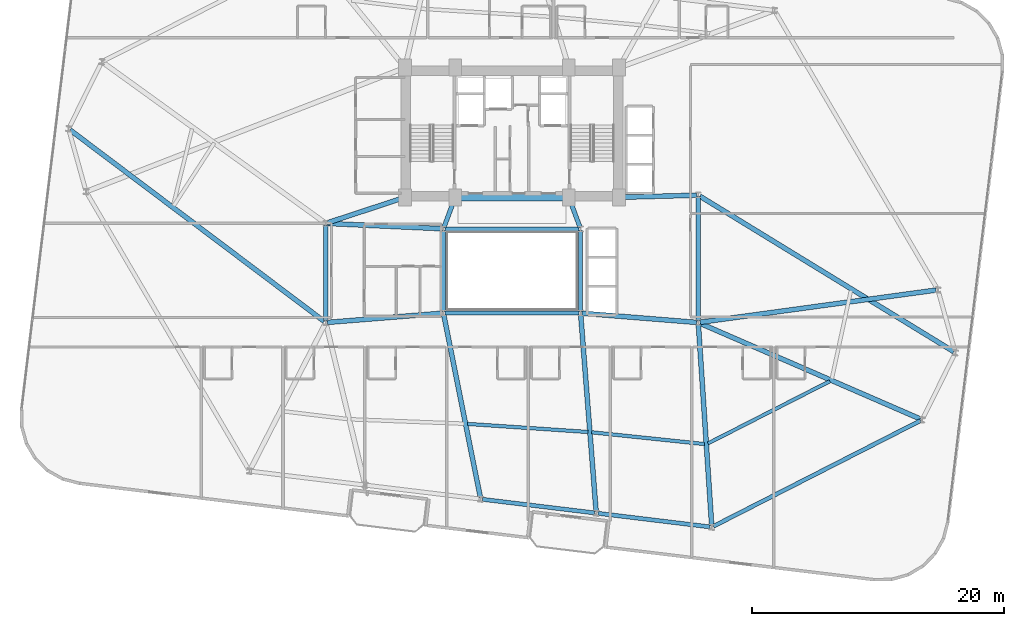
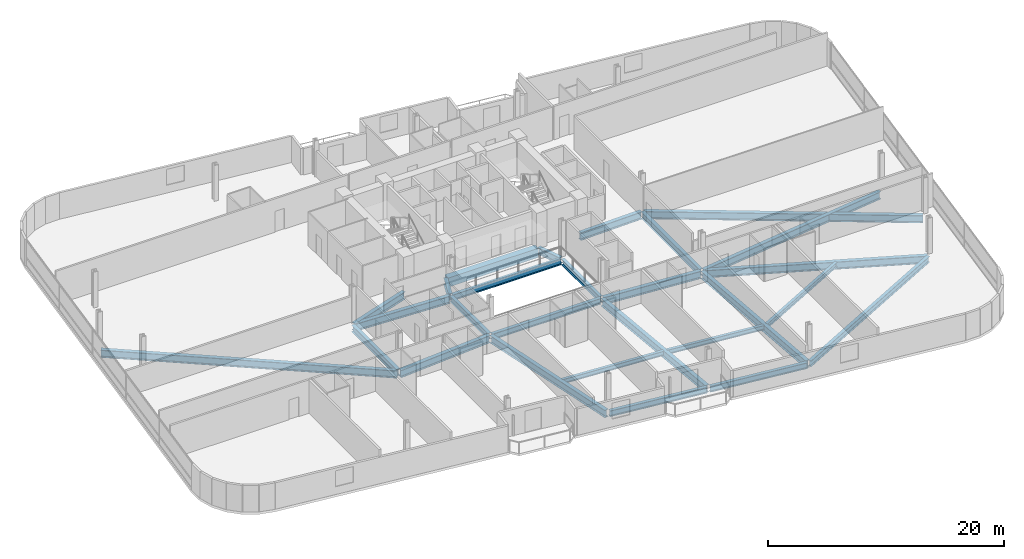
# One storey, part 7 of 26: 27 beams.
"""IFC4 building model written with IfcOpenShell, lengths in metres."""

from ifc_helpers import new_model, si_unit, direction, frame, origin, origin_2d, place, context, subcontext, project, spatial, rectangle, i_section, extrude, material, material_profile, profile_set, type_object, element, save


model = new_model("IFC4")

# Units and contexts
model_context = context("Model", 3, precision=1e-05, world=origin(), true_north=direction((0.0, 1.0)))
body_context = subcontext(model_context, "Body", "Model", "MODEL_VIEW")
ifc_project = project(units=[si_unit("LENGTHUNIT", "METRE"), si_unit("AREAUNIT", "SQUARE_METRE"), si_unit("VOLUMEUNIT", "CUBIC_METRE"), si_unit("PLANEANGLEUNIT", "RADIAN"), si_unit("MASSUNIT", "GRAM", prefix="KILO")], contexts=[model_context])

# Site, building, storey
site_placement = place(None, origin())
site = spatial("IfcSite", under=ifc_project, at=site_placement, CompositionType="ELEMENT")
building_placement = place(site_placement, origin())
building = spatial("IfcBuilding", under=site, at=building_placement, Name="Varnelok Gate Tower", CompositionType="ELEMENT")
storey_placement = place(building_placement, frame((0.0, 0.0, 125.39990234375)))
storey = spatial("IfcBuildingStorey", under=building, at=storey_placement, Name="L31", CompositionType="ELEMENT", Elevation=125.39990234375)

# Beams
ifc_material_1 = material(Name="Structural Steel ASTM A992 Grade 50", Category="steel")
ifc_material_profile_1 = material_profile(ifc_material_1, i_section(OverallWidth=0.280029296875, OverallDepth=0.462890625, WebThickness=0.0107421875, FlangeThickness=0.017333984375, FilletRadius=0.014892578125, at=origin_2d()), Name="W18X76")
ifc_profile_set_1 = profile_set([ifc_material_profile_1], Name="Structural Steel ASTM A992 Grade 50")
beam_type_1 = type_object("IfcBeamType", Name="BM-JST-W18X76", PredefinedType="JOIST", material=ifc_profile_set_1)
beam_1_placement = place(storey_placement, frame((35.651611328125, 10.74658203125, -0.4814453125), z_axis=(0.997760046708, -0.066894612588, 0.0), x_axis=(0.066894612588, 0.997760046708, 0.0)))
element("IfcBeam", 1, at=beam_1_placement, inside=storey, type_object=beam_type_1, Name="L31 Sector Floor Joist 3", PredefinedType="JOIST", context=body_context, shape_type="SweptSolid", body=[
    extrude(i_section(OverallWidth=0.280029296875, OverallDepth=0.462890625, WebThickness=0.0107421875, FlangeThickness=0.017333984375, FilletRadius=0.014892578125, at=origin_2d()), origin(), (0.0, 0.0, 1.0), 9.620361328125),
])
beam_2_placement = place(storey_placement, frame((45.529296875, 10.0791015625, -0.4814453125), z_axis=(0.994590833623, -0.103870465835, 0.0), x_axis=(0.103870465835, 0.994590833623, 0.0)))
element("IfcBeam", 2, at=beam_2_placement, inside=storey, type_object=beam_type_1, Name="L31 Sector Floor Joist 4", PredefinedType="JOIST", context=body_context, shape_type="SweptSolid", body=[
    extrude(i_section(OverallWidth=0.280029296875, OverallDepth=0.462890625, WebThickness=0.0107421875, FlangeThickness=0.017333984375, FilletRadius=0.014892578125, at=origin_2d()), origin(), (0.0, 0.0, 1.0), 9.02099609375),
])
beam_3_placement = place(storey_placement, frame((54.765380859375, 9.19140625, -0.4814453125), z_axis=(0.890737225888, 0.454518640341, 0.0), x_axis=(-0.454518640341, 0.890737225888, 0.0)))
element("IfcBeam", 3, at=beam_3_placement, inside=storey, type_object=beam_type_1, Name="L31 Sector Floor Joist 5", PredefinedType="JOIST", context=body_context, shape_type="SweptSolid", body=[
    extrude(i_section(OverallWidth=0.280029296875, OverallDepth=0.462890625, WebThickness=0.0107421875, FlangeThickness=0.017333984375, FilletRadius=0.014892578125, at=origin_2d()), origin(), (0.0, 0.0, 1.0), 10.88623046875),
])
ifc_material_2 = material(Name="Concrete C60/75", Category="concrete")
ifc_material_profile_2 = material_profile(ifc_material_2, rectangle(XDim=0.60009765625, YDim=0.949951171875, at=origin_2d()), Name="RC950X600")
ifc_profile_set_2 = profile_set([ifc_material_profile_2], Name="Concrete C60/75")
beam_type_2 = type_object("IfcBeamType", Name="BM-LNT-RC950", PredefinedType="LINTEL", material=ifc_profile_set_2)
beam_4_placement = place(storey_placement, frame((34.800048828125, 28.75, -0.724853515625), z_axis=(1.0, 0.0, 0.0), x_axis=(0.0, 1.0, 0.0)))
element("IfcBeam", 4, at=beam_4_placement, inside=storey, type_object=beam_type_2, Name="L31 Core-Atrium Spine Beam 7", PredefinedType="LINTEL", context=body_context, shape_type="SweptSolid", body=[
    extrude(rectangle(XDim=0.60009765625, YDim=0.949951171875, at=origin_2d()), origin(), (0.0, 0.0, 1.0), 8.800048828125),
])
ifc_material_profile_3 = material_profile(ifc_material_1, i_section(OverallWidth=0.35498046875, OverallDepth=0.696044921875, WebThickness=0.015380859375, FlangeThickness=0.02490234375, FilletRadius=0.02001953125, at=origin_2d()), Name="W27X146")
ifc_profile_set_3 = profile_set([ifc_material_profile_3], Name="Structural Steel ASTM A992 Grade 50")
beam_type_3 = type_object("IfcBeamType", Name="BM-PRI-W27X146", PredefinedType="BEAM", material=ifc_profile_set_3)
for number, where, z_axis, x_axis, name in (
    (5, (33.791748046875, 26.362548828125, -0.597900390625), (0.348719329408, 0.937227202602, 0.0), (-0.937227202602, 0.348719329408, 0.0), "L31 Core-Atrium Spine Beam 12"),
    (6, (44.608154296875, 26.362548828125, -0.597900390625), (-0.348719329408, 0.937227202602, 0.0), (-0.937227202602, -0.348719329408, 0.0), "L31 Core-Atrium Spine Beam 13"),
):
    element("IfcBeam", number, at=place(storey_placement, frame(where, z_axis=z_axis, x_axis=x_axis)), inside=storey, type_object=beam_type_3, Name=name, PredefinedType="BEAM", context=body_context, shape_type="SweptSolid", body=[
        extrude(i_section(OverallWidth=0.35498046875, OverallDepth=0.696044921875, WebThickness=0.015380859375, FlangeThickness=0.02490234375, FilletRadius=0.02001953125, at=origin_2d()), origin(), (0.0, 0.0, 1.0), 2.42724609375),
    ])
beam_5_placement = place(storey_placement, frame((24.39990234375, 18.919921875, -0.597900390625), z_axis=(0.0, 1.0, 0.0), x_axis=(-1.0, 0.0, 0.0)))
element("IfcBeam", 7, at=beam_5_placement, inside=storey, type_object=beam_type_3, Name="L31 Core-Atrium Spine Beam 16", PredefinedType="BEAM", context=body_context, shape_type="SweptSolid", body=[
    extrude(i_section(OverallWidth=0.35498046875, OverallDepth=0.696044921875, WebThickness=0.015380859375, FlangeThickness=0.02490234375, FilletRadius=0.02001953125, at=origin_2d()), origin(), (0.0, 0.0, 1.0), 7.64013671875),
])
beam_6_placement = place(storey_placement, frame((54.0, 18.919921875, -0.597900390625), z_axis=(0.0, 1.0, 0.0), x_axis=(-1.0, 0.0, 0.0)))
element("IfcBeam", 8, at=beam_6_placement, inside=storey, type_object=beam_type_3, Name="L31 Core-Atrium Spine Beam 20", PredefinedType="BEAM", context=body_context, shape_type="SweptSolid", body=[
    extrude(i_section(OverallWidth=0.35498046875, OverallDepth=0.696044921875, WebThickness=0.015380859375, FlangeThickness=0.02490234375, FilletRadius=0.02001953125, at=origin_2d()), origin(), (0.0, 0.0, 1.0), 9.880126953125),
])
ifc_material_profile_4 = material_profile(ifc_material_1, i_section(OverallWidth=0.381103515625, OverallDepth=0.77294921875, WebThickness=0.0166015625, FlangeThickness=0.027099609375, FilletRadius=0.02197265625, at=origin_2d()), Name="W30X173")
ifc_profile_set_4 = profile_set([ifc_material_profile_4], Name="Structural Steel ASTM A992 Grade 50")
beam_type_4 = type_object("IfcBeamType", Name="BM-PRI-W30X173", PredefinedType="BEAM", material=ifc_profile_set_4)
beam_7_placement = place(storey_placement, frame((24.51953125, 18.8095703125, -0.636474609375), z_axis=(0.996799206292, 0.07994587128, 0.0), x_axis=(-0.07994587128, 0.996799206292, 0.0)))
element("IfcBeam", 9, at=beam_7_placement, inside=storey, type_object=beam_type_4, Name="L31 Core-Atrium Spine Beam 14", PredefinedType="BEAM", context=body_context, shape_type="SweptSolid", body=[
    extrude(i_section(OverallWidth=0.381103515625, OverallDepth=0.77294921875, WebThickness=0.0166015625, FlangeThickness=0.027099609375, FilletRadius=0.02197265625, at=origin_2d()), origin(), (0.0, 0.0, 1.0), 9.14013671875),
])
beam_8_placement = place(storey_placement, frame((24.52001953125, 26.674560546875, -0.636474609375), z_axis=(0.99894427814, -0.045938319209, 0.0), x_axis=(0.045938319209, 0.99894427814, 0.0)))
element("IfcBeam", 10, at=beam_8_placement, inside=storey, type_object=beam_type_4, Name="L31 Core-Atrium Spine Beam 15", PredefinedType="BEAM", context=body_context, shape_type="SweptSolid", body=[
    extrude(i_section(OverallWidth=0.381103515625, OverallDepth=0.77294921875, WebThickness=0.0166015625, FlangeThickness=0.027099609375, FilletRadius=0.02197265625, at=origin_2d()), origin(), (0.0, 0.0, 1.0), 9.11962890625),
])
beam_9_placement = place(storey_placement, frame((24.513916015625, 26.717529296875, -0.636474609375), z_axis=(0.950041943788, 0.312122259768, 0.0), x_axis=(-0.312122259768, 0.950041943788, 0.0)))
element("IfcBeam", 11, at=beam_9_placement, inside=storey, type_object=beam_type_4, Name="L31 Core-Atrium Spine Beam 17", PredefinedType="BEAM", context=body_context, shape_type="SweptSolid", body=[
    extrude(i_section(OverallWidth=0.381103515625, OverallDepth=0.77294921875, WebThickness=0.0166015625, FlangeThickness=0.027099609375, FilletRadius=0.02197265625, at=origin_2d()), origin(), (0.0, 0.0, 1.0), 6.391357421875),
])
beam_10_placement = place(storey_placement, frame((44.76953125, 19.540283203125, -0.636474609375), z_axis=(0.996799206292, -0.07994587128, 0.0), x_axis=(0.07994587128, 0.996799206292, 0.0)))
element("IfcBeam", 12, at=beam_10_placement, inside=storey, type_object=beam_type_4, Name="L31 Core-Atrium Spine Beam 18", PredefinedType="BEAM", context=body_context, shape_type="SweptSolid", body=[
    extrude(i_section(OverallWidth=0.381103515625, OverallDepth=0.77294921875, WebThickness=0.0166015625, FlangeThickness=0.027099609375, FilletRadius=0.02197265625, at=origin_2d()), origin(), (0.0, 0.0, 1.0), 9.14013671875),
])
beam_11_placement = place(storey_placement, frame((47.820068359375, 28.753173828125, -0.636474609375), z_axis=(0.999635880609, 0.026983443053, 0.0), x_axis=(-0.026983443053, 0.999635880609, 0.0)))
element("IfcBeam", 13, at=beam_11_placement, inside=storey, type_object=beam_type_4, Name="L31 Core-Atrium Spine Beam 19", PredefinedType="BEAM", context=body_context, shape_type="SweptSolid", body=[
    extrude(i_section(OverallWidth=0.381103515625, OverallDepth=0.77294921875, WebThickness=0.0166015625, FlangeThickness=0.027099609375, FilletRadius=0.02197265625, at=origin_2d()), origin(), (0.0, 0.0, 1.0), 6.06201171875),
])
beam_12_placement = place(storey_placement, frame((33.779541015625, 19.40283203125, -0.636474609375), z_axis=(0.1964593524, -0.980511969766, 0.0), x_axis=(0.980511969766, 0.1964593524, 0.0)))
element("IfcBeam", 14, at=beam_12_placement, inside=storey, type_object=beam_type_4, Name="L31 Radial Floor Girder 3", PredefinedType="BEAM", context=body_context, shape_type="SweptSolid", body=[
    extrude(i_section(OverallWidth=0.381103515625, OverallDepth=0.77294921875, WebThickness=0.0166015625, FlangeThickness=0.027099609375, FilletRadius=0.02197265625, at=origin_2d()), origin(), (0.0, 0.0, 1.0), 14.773193359375),
])
beam_13_placement = place(storey_placement, frame((44.66162109375, 19.400390625, -0.636474609375), z_axis=(0.078042805068, -0.996950009066, 0.0), x_axis=(0.996950009066, 0.078042805068, 0.0)))
element("IfcBeam", 15, at=beam_13_placement, inside=storey, type_object=beam_type_4, Name="L31 Radial Floor Girder 4", PredefinedType="BEAM", context=body_context, shape_type="SweptSolid", body=[
    extrude(i_section(OverallWidth=0.381103515625, OverallDepth=0.77294921875, WebThickness=0.0166015625, FlangeThickness=0.027099609375, FilletRadius=0.02197265625, at=origin_2d()), origin(), (0.0, 0.0, 1.0), 15.641357421875),
])
beam_14_placement = place(storey_placement, frame((54.010009765625, 18.650390625, -0.636474609375), z_axis=(0.066089376194, -0.997813707239, 0.0), x_axis=(0.997813707239, 0.066089376194, 0.0)))
element("IfcBeam", 16, at=beam_14_placement, inside=storey, type_object=beam_type_4, Name="L31 Radial Floor Girder 5", PredefinedType="BEAM", context=body_context, shape_type="SweptSolid", body=[
    extrude(i_section(OverallWidth=0.381103515625, OverallDepth=0.77294921875, WebThickness=0.0166015625, FlangeThickness=0.027099609375, FilletRadius=0.02197265625, at=origin_2d()), origin(), (0.0, 0.0, 1.0), 15.99169921875),
])
beam_15_placement = place(storey_placement, frame((54.1376953125, 18.740234375, -0.636474609375), z_axis=(0.917259371715, -0.398290402848, 0.0), x_axis=(0.398290402848, 0.917259371715, 0.0)))
element("IfcBeam", 17, at=beam_15_placement, inside=storey, type_object=beam_type_4, Name="L31 Radial Floor Girder 6", PredefinedType="BEAM", context=body_context, shape_type="SweptSolid", body=[
    extrude(i_section(OverallWidth=0.381103515625, OverallDepth=0.77294921875, WebThickness=0.0166015625, FlangeThickness=0.027099609375, FilletRadius=0.02197265625, at=origin_2d()), origin(), (0.0, 0.0, 1.0), 19.09765625),
])
beam_16_placement = place(storey_placement, frame((54.1279296875, 28.841796875, -0.636474609375), z_axis=(0.852781066678, -0.522268563399, 0.0), x_axis=(0.522268563399, 0.852781066678, 0.0)))
element("IfcBeam", 18, at=beam_16_placement, inside=storey, type_object=beam_type_4, Name="L31 Radial Floor Girder 7", PredefinedType="BEAM", context=body_context, shape_type="SweptSolid", body=[
    extrude(i_section(OverallWidth=0.381103515625, OverallDepth=0.77294921875, WebThickness=0.0166015625, FlangeThickness=0.027099609375, FilletRadius=0.02197265625, at=origin_2d()), origin(), (0.0, 0.0, 1.0), 23.663330078125),
])
beam_17_placement = place(storey_placement, frame((54.148681640625, 18.8203125, -0.636474609375), z_axis=(0.990818465143, 0.135198998265, 0.0), x_axis=(-0.135198998265, 0.990818465143, 0.0)))
element("IfcBeam", 19, at=beam_17_placement, inside=storey, type_object=beam_type_4, Name="L31 Radial Floor Girder 8", PredefinedType="BEAM", context=body_context, shape_type="SweptSolid", body=[
    extrude(i_section(OverallWidth=0.381103515625, OverallDepth=0.77294921875, WebThickness=0.0166015625, FlangeThickness=0.027099609375, FilletRadius=0.02197265625, at=origin_2d()), origin(), (0.0, 0.0, 1.0), 18.921142578125),
])
beam_18_placement = place(storey_placement, frame((24.2802734375, 18.890380859375, -0.636474609375), z_axis=(-0.798720202065, 0.601702616591, 0.0), x_axis=(-0.601702616591, -0.798720202065, 0.0)))
element("IfcBeam", 20, at=beam_18_placement, inside=storey, type_object=beam_type_4, Name="L31 Radial Floor Girder 15", PredefinedType="BEAM", context=body_context, shape_type="SweptSolid", body=[
    extrude(i_section(OverallWidth=0.381103515625, OverallDepth=0.77294921875, WebThickness=0.0166015625, FlangeThickness=0.027099609375, FilletRadius=0.02197265625, at=origin_2d()), origin(), (0.0, 0.0, 1.0), 25.285400390625),
])
ifc_material_profile_5 = material_profile(ifc_material_1, i_section(OverallWidth=0.323974609375, OverallDepth=0.611083984375, WebThickness=0.0126953125, FlangeThickness=0.01904296875, FilletRadius=0.01806640625, at=origin_2d()), Name="W24X104")
ifc_profile_set_5 = profile_set([ifc_material_profile_5], Name="Structural Steel ASTM A992 Grade 50")
beam_type_5 = type_object("IfcBeamType", Name="BM-SPN-W24X104", PredefinedType="SPANDREL", material=ifc_profile_set_5)
for number, where, z_axis, x_axis, name in (
    (21, (33.8701171875, 19.550048828125, -0.555419921875), (1.0, 0.0, 0.0), (0.0, 1.0, 0.0), "L31 Core-Atrium Spine Beam 8"),
    (22, (33.8701171875, 26.25, -0.555419921875), (1.0, 0.0, 0.0), (0.0, 1.0, 0.0), "L31 Core-Atrium Spine Beam 9"),
):
    element("IfcBeam", number, at=place(storey_placement, frame(where, z_axis=z_axis, x_axis=x_axis)), inside=storey, type_object=beam_type_5, Name=name, PredefinedType="SPANDREL", context=body_context, shape_type="SweptSolid", body=[
        extrude(i_section(OverallWidth=0.323974609375, OverallDepth=0.611083984375, WebThickness=0.0126953125, FlangeThickness=0.01904296875, FilletRadius=0.01806640625, at=origin_2d()), origin(), (0.0, 0.0, 1.0), 10.659912109375),
    ])
for number, where, z_axis, x_axis, name in (
    (23, (33.75, 19.669921875, -0.555419921875), (0.0, 1.0, 0.0), (-1.0, 0.0, 0.0), "L31 Core-Atrium Spine Beam 10"),
    (24, (44.64990234375, 19.669921875, -0.555419921875), (0.0, 1.0, 0.0), (-1.0, 0.0, 0.0), "L31 Core-Atrium Spine Beam 11"),
):
    element("IfcBeam", number, at=place(storey_placement, frame(where, z_axis=z_axis, x_axis=x_axis)), inside=storey, type_object=beam_type_5, Name=name, PredefinedType="SPANDREL", context=body_context, shape_type="SweptSolid", body=[
        extrude(i_section(OverallWidth=0.323974609375, OverallDepth=0.611083984375, WebThickness=0.0126953125, FlangeThickness=0.01904296875, FilletRadius=0.01806640625, at=origin_2d()), origin(), (0.0, 0.0, 1.0), 6.4599609375),
    ])
for number, where, z_axis, x_axis, name in (
    (25, (36.860107421875, 4.752197265625, -0.555419921875), (0.992734670707, -0.120324035735, 0.0), (0.120324035735, 0.992734670707, 0.0), "L31 Perimeter Spandrel Beam 3"),
    (26, (46.04296875, 3.638916015625, -0.555419921875), (0.992734670707, -0.120324035735, 0.0), (0.120324035735, 0.992734670707, 0.0), "L31 Perimeter Spandrel Beam 4"),
):
    element("IfcBeam", number, at=place(storey_placement, frame(where, z_axis=z_axis, x_axis=x_axis)), inside=storey, type_object=beam_type_5, Name=name, PredefinedType="SPANDREL", context=body_context, shape_type="SweptSolid", body=[
        extrude(i_section(OverallWidth=0.323974609375, OverallDepth=0.611083984375, WebThickness=0.0126953125, FlangeThickness=0.01904296875, FilletRadius=0.01806640625, at=origin_2d()), origin(), (0.0, 0.0, 1.0), 8.949951171875),
    ])
beam_19_placement = place(storey_placement, frame((55.21044921875, 2.612060546875, -0.555419921875), z_axis=(0.890721671543, 0.454549121486, 0.0), x_axis=(-0.454549121486, 0.890721671543, 0.0)))
element("IfcBeam", 27, at=beam_19_placement, inside=storey, type_object=beam_type_5, Name="L31 Perimeter Spandrel Beam 5", PredefinedType="SPANDREL", context=body_context, shape_type="SweptSolid", body=[
    extrude(i_section(OverallWidth=0.323974609375, OverallDepth=0.611083984375, WebThickness=0.0126953125, FlangeThickness=0.01904296875, FilletRadius=0.01806640625, at=origin_2d()), origin(), (0.0, 0.0, 1.0), 18.466796875),
])

save(model, "model.ifc")
